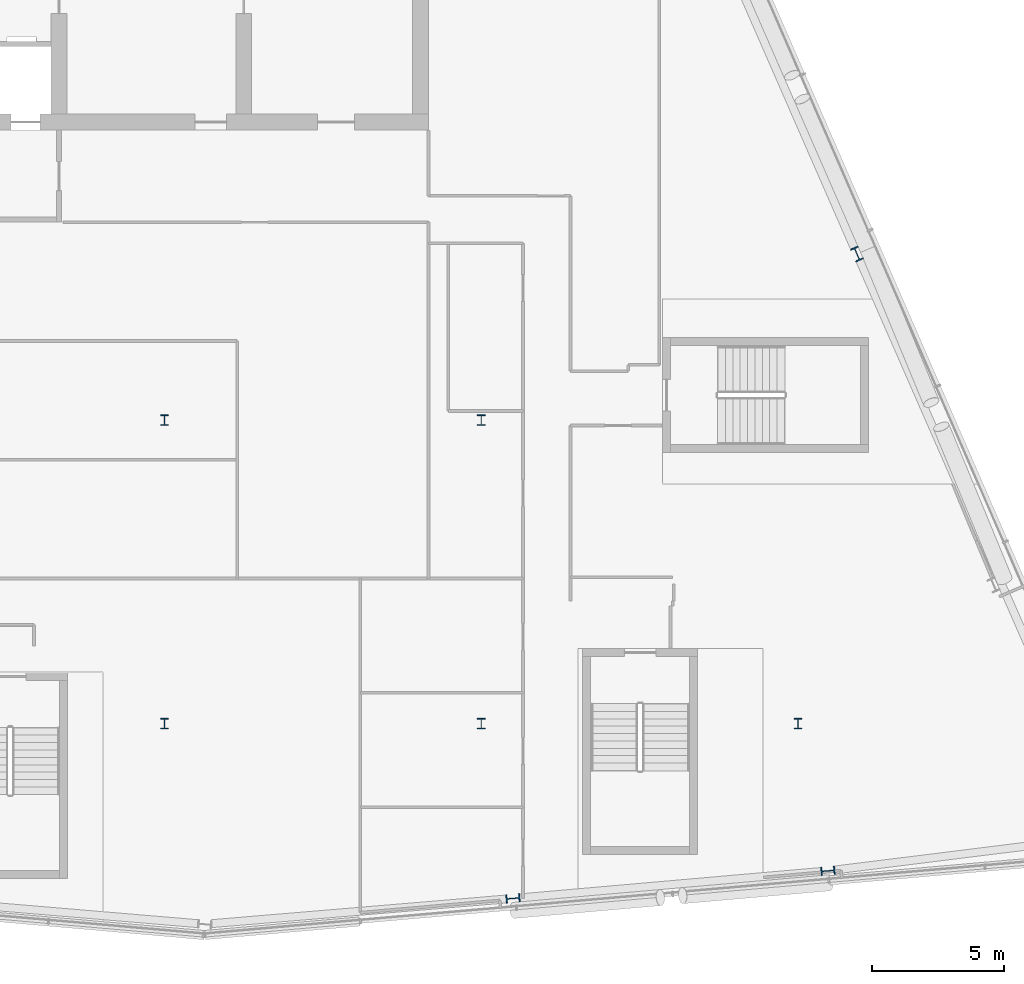
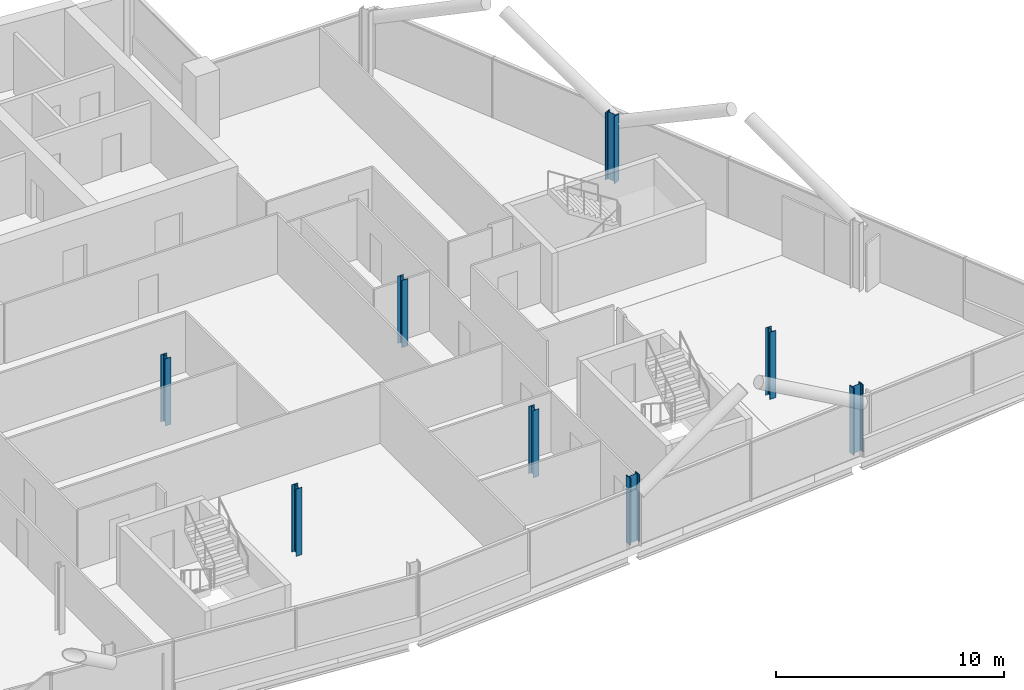
# One storey, part 2 of 25: 8 columns.
"""IFC4 building model written with IfcOpenShell, lengths in metres."""

from ifc_helpers import new_model, si_unit, direction, frame, origin, origin_2d, place, context, subcontext, project, spatial, i_section, extrude, material, material_profile, profile_set, type_object, element, save


model = new_model("IFC4")

# Units and contexts
model_context = context("Model", 3, precision=1e-05, world=origin(), true_north=direction((0.0, 1.0)))
body_context = subcontext(model_context, "Body", "Model", "MODEL_VIEW")
ifc_project = project(units=[si_unit("LENGTHUNIT", "METRE"), si_unit("AREAUNIT", "SQUARE_METRE"), si_unit("VOLUMEUNIT", "CUBIC_METRE"), si_unit("PLANEANGLEUNIT", "RADIAN"), si_unit("MASSUNIT", "GRAM", prefix="KILO")], contexts=[model_context])

# Site, building, storey
site_placement = place(None, origin())
site = spatial("IfcSite", under=ifc_project, at=site_placement, CompositionType="ELEMENT")
building_placement = place(site_placement, origin())
building = spatial("IfcBuilding", under=site, at=building_placement, Name="Wharfspan Tower", CompositionType="ELEMENT")
storey_placement = place(building_placement, frame((0.0, 0.0, 225.100098)))
storey = spatial("IfcBuildingStorey", under=building, at=storey_placement, Name="L56", CompositionType="ELEMENT", Elevation=225.100098)

# Columns
ifc_material = material(Name="Steel S355J2", Category="steel")
ifc_material_profile_1 = material_profile(ifc_material, i_section(OverallWidth=0.300049, OverallDepth=0.399902, WebThickness=0.013428, FlangeThickness=0.023926, FilletRadius=0.0271, at=origin_2d()))
ifc_profile_set_1 = profile_set([ifc_material_profile_1], Name="Steel S355J2")
column_type_1 = type_object("IfcColumnType", Name="Column HEB 400", PredefinedType="COLUMN", material=ifc_profile_set_1)
for number, where, z_axis, x_axis, name in (
    (1, (48.0, 11.5, 0.0), (0.0, 0.0, 1.0), (1.0, 0.0, 0.0), "Interior column I.1.3 L56"),
    (2, (60.0, 11.5, 0.0), (0.0, 0.0, 1.0), (1.0, 0.0, 0.0), "Interior column I.1.4 L56"),
    (3, (72.0, 11.5, 0.0), (0.0, 0.0, 1.0), (1.0, 0.0, 0.0), "Interior column I.1.5 L56"),
    (4, (48.0, 23.0, 0.0), (0.0, 0.0, 1.0), (1.0, 0.0, 0.0), "Interior column I.2.3 L56"),
    (5, (60.0, 23.0, 0.0), (0.0, 0.0, 1.0), (1.0, 0.0, 0.0), "Interior column I.2.4 L56"),
):
    element("IfcColumn", number, at=place(storey_placement, frame(where, z_axis=z_axis, x_axis=x_axis)), inside=storey, type_object=column_type_1, Name=name, PredefinedType="COLUMN", context=body_context, shape_type="SweptSolid", body=[
        extrude(i_section(OverallWidth=0.300049, OverallDepth=0.399902, WebThickness=0.013428, FlangeThickness=0.023926, FilletRadius=0.0271, at=origin_2d()), origin(), (0.0, 0.0, 1.0), 3.599854),
    ])
ifc_material_profile_2 = material_profile(ifc_material, i_section(OverallWidth=0.305908, OverallDepth=0.523926, WebThickness=0.020996, FlangeThickness=0.040039, FilletRadius=0.0271, at=origin_2d()))
ifc_profile_set_2 = profile_set([ifc_material_profile_2], Name="Steel S355J2")
column_type_2 = type_object("IfcColumnType", Name="Column HEM 500", PredefinedType="COLUMN", material=ifc_profile_set_2)
for number, where, z_axis, x_axis, name in (
    (6, (61.202393, 4.879395, 0.0), (0.0, 0.0, 1.0), (0.087156, -0.996197, 0.0), "Perimeter column PS2.1 L56"),
    (7, (73.135254, 5.92334, 0.0), (0.0, 0.0, 1.0), (0.087156, -0.996197, 0.0), "Perimeter column PS2.2 L56"),
    (8, (74.235352, 29.294922, 0.0), (0.0, 0.0, 1.0), (0.917072, 0.398727, 0.0), "Perimeter column PE.2 L56"),
):
    element("IfcColumn", number, at=place(storey_placement, frame(where, z_axis=z_axis, x_axis=x_axis)), inside=storey, type_object=column_type_2, Name=name, PredefinedType="COLUMN", context=body_context, shape_type="SweptSolid", body=[
        extrude(i_section(OverallWidth=0.305908, OverallDepth=0.523926, WebThickness=0.020996, FlangeThickness=0.040039, FilletRadius=0.0271, at=origin_2d()), origin(), (0.0, 0.0, 1.0), 3.599854),
    ])

save(model, "model.ifc")
